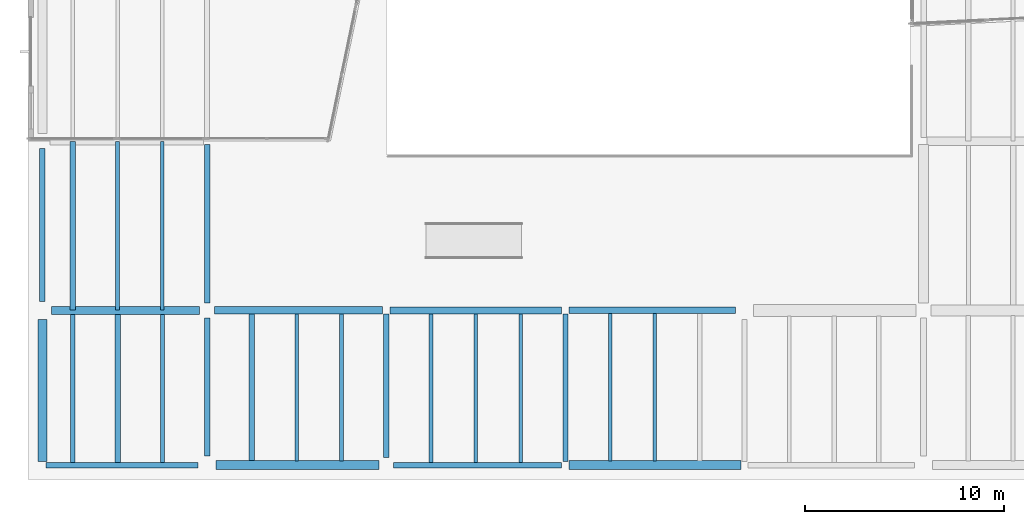
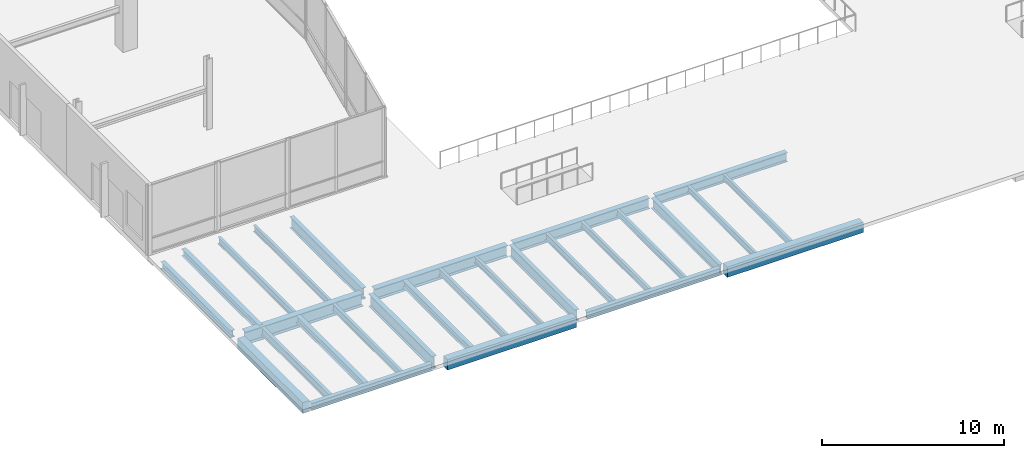
# One storey, part 17 of 88: 28 beams.
"""IFC4 building model written with IfcOpenShell, lengths in metres."""

from ifc_helpers import new_model, si_unit, direction, frame, origin, origin_2d, place, context, subcontext, project, spatial, rectangle, i_section, extrude, material, material_profile, profile_set, type_object, element, save


model = new_model("IFC4")

# Units and contexts
model_context = context("Model", 3, precision=1e-05, world=origin(), true_north=direction((0.0, 1.0)))
body_context = subcontext(model_context, "Body", "Model", "MODEL_VIEW")
ifc_project = project(units=[si_unit("LENGTHUNIT", "METRE"), si_unit("AREAUNIT", "SQUARE_METRE"), si_unit("VOLUMEUNIT", "CUBIC_METRE"), si_unit("PLANEANGLEUNIT", "RADIAN"), si_unit("MASSUNIT", "GRAM", prefix="KILO")], contexts=[model_context])

# Site, building, storey
site_placement = place(None, origin())
site = spatial("IfcSite", under=ifc_project, at=site_placement, CompositionType="ELEMENT")
building_placement = place(site_placement, origin())
building = spatial("IfcBuilding", under=site, at=building_placement, Name="Trimount Lyric Opera House", CompositionType="ELEMENT")
storey_placement = place(building_placement, origin())
storey = spatial("IfcBuildingStorey", under=building, at=storey_placement, Name="L00", CompositionType="ELEMENT", Elevation=0.0)

# Beams
ifc_material_1 = material(Name="Steel ASTM A992 Grade 50", Category="steel")
ifc_material_profile_1 = material_profile(ifc_material_1, i_section(OverallWidth=0.40087890625, OverallDepth=0.861083984375, WebThickness=0.019775390625, FlangeThickness=0.032470703125, FilletRadius=0.02001953125, at=origin_2d()), Name="W33X221")
ifc_profile_set_1 = profile_set([ifc_material_profile_1], Name="Steel ASTM A992 Grade 50")
beam_type_1 = type_object("IfcBeamType", Name="B-04", PredefinedType="BEAM", material=ifc_profile_set_1)
beam_1_placement = place(storey_placement, frame((1.169921875, 8.5, -0.67041015625), z_axis=(1.0, 0.0, 0.0), x_axis=(0.0, 1.0, 0.0)))
element("IfcBeam", 1, at=beam_1_placement, inside=storey, type_object=beam_type_1, Name="L00 girder X-0020", PredefinedType="BEAM", context=body_context, shape_type="SweptSolid", body=[
    extrude(i_section(OverallWidth=0.40087890625, OverallDepth=0.861083984375, WebThickness=0.019775390625, FlangeThickness=0.032470703125, FilletRadius=0.02001953125, at=origin_2d()), origin(), (0.0, 0.0, 1.0), 7.455078125),
])
ifc_material_2 = material(Name="Steel ASTM A992 Grade 50", Category="steel")
ifc_material_profile_2 = material_profile(ifc_material_2, i_section(OverallWidth=0.2919921875, OverallDepth=0.845947265625, WebThickness=0.015380859375, FlangeThickness=0.0244140625, FilletRadius=0.01806640625, at=origin_2d()), Name="W33X141")
ifc_profile_set_2 = profile_set([ifc_material_profile_2], Name="Steel ASTM A992 Grade 50")
beam_type_2 = type_object("IfcBeamType", Name="B-05", PredefinedType="BEAM", material=ifc_profile_set_2)
beam_2_placement = place(storey_placement, frame((9.0, 1.169921875, -0.6630859375), z_axis=(0.0, 1.0, 0.0), x_axis=(-1.0, 0.0, 0.0)))
element("IfcBeam", 2, at=beam_2_placement, inside=storey, type_object=beam_type_2, Name="L00 girder Y-0250", PredefinedType="BEAM", context=body_context, shape_type="SweptSolid", body=[
    extrude(i_section(OverallWidth=0.2919921875, OverallDepth=0.845947265625, WebThickness=0.015380859375, FlangeThickness=0.0244140625, FilletRadius=0.01806640625, at=origin_2d()), origin(), (0.0, 0.0, 1.0), 6.955078125),
])
ifc_material_3 = material(Name="Steel ASTM A992 Grade 50", Category="steel")
ifc_material_profile_3 = material_profile(ifc_material_3, i_section(OverallWidth=0.382080078125, OverallDepth=0.779052734375, WebThickness=0.01806640625, FlangeThickness=0.0302734375, FilletRadius=0.01904296875, at=origin_2d()), Name="W30X191")
ifc_profile_set_3 = profile_set([ifc_material_profile_3], Name="Steel ASTM A992 Grade 50")
beam_type_3 = type_object("IfcBeamType", Name="B-06", PredefinedType="BEAM", material=ifc_profile_set_3)
beam_3_placement = place(storey_placement, frame((9.375, 8.5, -0.62939453125), z_axis=(1.0, 0.0, 0.0), x_axis=(0.0, 1.0, 0.0)))
element("IfcBeam", 3, at=beam_3_placement, inside=storey, type_object=beam_type_3, Name="L00 girder X-0021", PredefinedType="BEAM", context=body_context, shape_type="SweptSolid", body=[
    extrude(i_section(OverallWidth=0.382080078125, OverallDepth=0.779052734375, WebThickness=0.01806640625, FlangeThickness=0.0302734375, FilletRadius=0.01904296875, at=origin_2d()), origin(), (0.0, 0.0, 1.0), 8.44091796875),
])
ifc_material_4 = material(Name="Steel ASTM A992 Grade 50", Category="steel")
ifc_material_profile_4 = material_profile(ifc_material_4, i_section(OverallWidth=0.26708984375, OverallDepth=0.761962890625, WebThickness=0.014404296875, FlangeThickness=0.021484375, FilletRadius=0.01708984375, at=origin_2d()), Name="W30X116")
ifc_profile_set_4 = profile_set([ifc_material_profile_4], Name="Steel ASTM A992 Grade 50")
beam_type_4 = type_object("IfcBeamType", Name="B-07", PredefinedType="BEAM", material=ifc_profile_set_4)
beam_4_placement = place(storey_placement, frame((9.0, 8.875, -0.720947265625), z_axis=(0.0, 1.0, 0.0), x_axis=(-1.0, 0.0, 0.0)))
element("IfcBeam", 4, at=beam_4_placement, inside=storey, type_object=beam_type_4, Name="L00 girder Y-0251", PredefinedType="BEAM", context=body_context, shape_type="SweptSolid", body=[
    extrude(i_section(OverallWidth=0.26708984375, OverallDepth=0.761962890625, WebThickness=0.014404296875, FlangeThickness=0.021484375, FilletRadius=0.01708984375, at=origin_2d()), origin(), (0.0, 0.0, 1.0), 7.947021484375),
])
beam_5_placement = place(storey_placement, frame((18.0, 1.094970703125, -0.62109375), z_axis=(0.0, 1.0, 0.0), x_axis=(-1.0, 0.0, 0.0)))
element("IfcBeam", 5, at=beam_5_placement, inside=storey, type_object=beam_type_4, Name="L00 girder Y-0263", PredefinedType="BEAM", context=body_context, shape_type="SweptSolid", body=[
    extrude(i_section(OverallWidth=0.26708984375, OverallDepth=0.761962890625, WebThickness=0.014404296875, FlangeThickness=0.021484375, FilletRadius=0.01708984375, at=origin_2d()), origin(), (0.0, 0.0, 1.0), 7.22705078125),
])
ifc_material_5 = material(Name="Steel ASTM A992 Grade 50", Category="steel")
ifc_material_profile_5 = material_profile(ifc_material_5, i_section(OverallWidth=0.35595703125, OverallDepth=0.700927734375, WebThickness=0.016845703125, FlangeThickness=0.02734375, FilletRadius=0.01806640625, at=origin_2d()), Name="W27X161")
ifc_profile_set_5 = profile_set([ifc_material_profile_5], Name="Steel ASTM A992 Grade 50")
beam_type_5 = type_object("IfcBeamType", Name="B-08", PredefinedType="BEAM", material=ifc_profile_set_5)
beam_6_placement = place(storey_placement, frame((18.18408203125, 8.5, -0.590576171875), z_axis=(1.0, 0.0, 0.0), x_axis=(0.0, 1.0, 0.0)))
element("IfcBeam", 6, at=beam_6_placement, inside=storey, type_object=beam_type_5, Name="L00 girder X-0022", PredefinedType="BEAM", context=body_context, shape_type="SweptSolid", body=[
    extrude(i_section(OverallWidth=0.35595703125, OverallDepth=0.700927734375, WebThickness=0.016845703125, FlangeThickness=0.02734375, FilletRadius=0.01806640625, at=origin_2d()), origin(), (0.0, 0.0, 1.0), 8.62939453125),
])
ifc_material_6 = material(Name="Steel ASTM A992 Grade 50", Category="steel")
ifc_material_profile_6 = material_profile(ifc_material_6, i_section(OverallWidth=0.25390625, OverallDepth=0.68798828125, WebThickness=0.01318359375, FlangeThickness=0.02099609375, FilletRadius=0.01611328125, at=origin_2d()), Name="W27X102")
ifc_profile_set_6 = profile_set([ifc_material_profile_6], Name="Steel ASTM A992 Grade 50")
beam_type_6 = type_object("IfcBeamType", Name="B-09", PredefinedType="BEAM", material=ifc_profile_set_6)
beam_7_placement = place(storey_placement, frame((27.0, 0.89794921875, -0.583984375), z_axis=(0.0, 1.0, 0.0), x_axis=(-1.0, 0.0, 0.0)))
element("IfcBeam", 7, at=beam_7_placement, inside=storey, type_object=beam_type_6, Name="L00 girder Y-0272", PredefinedType="BEAM", context=body_context, shape_type="SweptSolid", body=[
    extrude(i_section(OverallWidth=0.25390625, OverallDepth=0.68798828125, WebThickness=0.01318359375, FlangeThickness=0.02099609375, FilletRadius=0.01611328125, at=origin_2d()), origin(), (0.0, 0.0, 1.0), 7.41796875),
])
ifc_material_7 = material(Name="Steel ASTM A992 Grade 50", Category="steel")
ifc_material_profile_7 = material_profile(ifc_material_7, i_section(OverallWidth=0.327880859375, OverallDepth=0.626953125, WebThickness=0.0166015625, FlangeThickness=0.027587890625, FilletRadius=0.01611328125, at=origin_2d()), Name="W24X146")
ifc_profile_set_7 = profile_set([ifc_material_profile_7], Name="Steel ASTM A992 Grade 50")
beam_type_7 = type_object("IfcBeamType", Name="B-10", PredefinedType="BEAM", material=ifc_profile_set_7)
beam_8_placement = place(storey_placement, frame((27.1865234375, 8.5, -0.553466796875), z_axis=(1.0, 0.0, 0.0), x_axis=(0.0, 1.0, 0.0)))
element("IfcBeam", 8, at=beam_8_placement, inside=storey, type_object=beam_type_7, Name="L00 girder X-0023", PredefinedType="BEAM", context=body_context, shape_type="SweptSolid", body=[
    extrude(i_section(OverallWidth=0.327880859375, OverallDepth=0.626953125, WebThickness=0.0166015625, FlangeThickness=0.027587890625, FilletRadius=0.01611328125, at=origin_2d()), origin(), (0.0, 0.0, 1.0), 8.363525390625),
])
ifc_material_8 = material(Name="Steel ASTM A992 Grade 50", Category="steel")
ifc_material_profile_8 = material_profile(ifc_material_8, i_section(OverallWidth=0.2099609375, OverallDepth=0.532958984375, WebThickness=0.01025390625, FlangeThickness=0.015625, FilletRadius=0.012939453125, at=origin_2d()), Name="W21X62")
ifc_profile_set_8 = profile_set([ifc_material_profile_8], Name="Steel ASTM A992 Grade 50")
beam_type_8 = type_object("IfcBeamType", Name="J-02", PredefinedType="BEAM", material=ifc_profile_set_8)
beam_9_placement = place(storey_placement, frame((2.25, 0.85693359375, -0.506591796875), z_axis=(0.0, 1.0, 0.0), x_axis=(-1.0, 0.0, 0.0)))
element("IfcBeam", 9, at=beam_9_placement, inside=storey, type_object=beam_type_8, Name="L00 composite floor joist 0001", PredefinedType="BEAM", context=body_context, shape_type="SweptSolid", body=[
    extrude(i_section(OverallWidth=0.2099609375, OverallDepth=0.532958984375, WebThickness=0.01025390625, FlangeThickness=0.015625, FilletRadius=0.012939453125, at=origin_2d()), origin(), (0.0, 0.0, 1.0), 7.446533203125),
])
ifc_material_9 = material(Name="Steel ASTM A992 Grade 50", Category="steel")
ifc_material_profile_9 = material_profile(ifc_material_9, i_section(OverallWidth=0.281982421875, OverallDepth=0.467041015625, WebThickness=0.01220703125, FlangeThickness=0.01953125, FilletRadius=0.012939453125, at=origin_2d()), Name="W18X86")
ifc_profile_set_9 = profile_set([ifc_material_profile_9], Name="Steel ASTM A992 Grade 50")
beam_type_9 = type_object("IfcBeamType", Name="J-03", PredefinedType="BEAM", material=ifc_profile_set_9)
beam_10_placement = place(storey_placement, frame((4.5, 0.85693359375, -0.473388671875), z_axis=(0.0, 1.0, 0.0), x_axis=(-1.0, 0.0, 0.0)))
element("IfcBeam", 10, at=beam_10_placement, inside=storey, type_object=beam_type_9, Name="L00 composite floor joist 0002", PredefinedType="BEAM", context=body_context, shape_type="SweptSolid", body=[
    extrude(i_section(OverallWidth=0.281982421875, OverallDepth=0.467041015625, WebThickness=0.01220703125, FlangeThickness=0.01953125, FilletRadius=0.012939453125, at=origin_2d()), origin(), (0.0, 0.0, 1.0), 7.446533203125),
])
beam_11_placement = place(storey_placement, frame((2.25, 8.511962890625, -0.473388671875), z_axis=(0.0, 1.0, 0.0), x_axis=(-1.0, 0.0, 0.0)))
element("IfcBeam", 11, at=beam_11_placement, inside=storey, type_object=beam_type_9, Name="L00 composite floor joist 0004", PredefinedType="BEAM", context=body_context, shape_type="SweptSolid", body=[
    extrude(i_section(OverallWidth=0.281982421875, OverallDepth=0.467041015625, WebThickness=0.01220703125, FlangeThickness=0.01953125, FilletRadius=0.012939453125, at=origin_2d()), origin(), (0.0, 0.0, 1.0), 8.47607421875),
])
beam_12_placement = place(storey_placement, frame((11.25, 0.94091796875, -0.473388671875), z_axis=(0.0, 1.0, 0.0), x_axis=(-1.0, 0.0, 0.0)))
element("IfcBeam", 12, at=beam_12_placement, inside=storey, type_object=beam_type_9, Name="L00 composite floor joist 0040", PredefinedType="BEAM", context=body_context, shape_type="SweptSolid", body=[
    extrude(i_section(OverallWidth=0.281982421875, OverallDepth=0.467041015625, WebThickness=0.01220703125, FlangeThickness=0.01953125, FilletRadius=0.012939453125, at=origin_2d()), origin(), (0.0, 0.0, 1.0), 7.3720703125),
])
ifc_material_10 = material(Name="Steel ASTM A992 Grade 50", Category="steel")
ifc_material_profile_10 = material_profile(ifc_material_10, i_section(OverallWidth=0.19091796875, OverallDepth=0.45703125, WebThickness=0.009033203125, FlangeThickness=0.014404296875, FilletRadius=0.010986328125, at=origin_2d()), Name="W18X50")
ifc_profile_set_10 = profile_set([ifc_material_profile_10], Name="Steel ASTM A992 Grade 50")
beam_type_10 = type_object("IfcBeamType", Name="J-04", PredefinedType="BEAM", material=ifc_profile_set_10)
beam_13_placement = place(storey_placement, frame((6.75, 0.85693359375, -0.468505859375), z_axis=(0.0, 1.0, 0.0), x_axis=(-1.0, 0.0, 0.0)))
element("IfcBeam", 13, at=beam_13_placement, inside=storey, type_object=beam_type_10, Name="L00 composite floor joist 0003", PredefinedType="BEAM", context=body_context, shape_type="SweptSolid", body=[
    extrude(i_section(OverallWidth=0.19091796875, OverallDepth=0.45703125, WebThickness=0.009033203125, FlangeThickness=0.014404296875, FilletRadius=0.010986328125, at=origin_2d()), origin(), (0.0, 0.0, 1.0), 7.446533203125),
])
beam_14_placement = place(storey_placement, frame((4.5, 8.511962890625, -0.468505859375), z_axis=(0.0, 1.0, 0.0), x_axis=(-1.0, 0.0, 0.0)))
element("IfcBeam", 14, at=beam_14_placement, inside=storey, type_object=beam_type_10, Name="L00 composite floor joist 0005", PredefinedType="BEAM", context=body_context, shape_type="SweptSolid", body=[
    extrude(i_section(OverallWidth=0.19091796875, OverallDepth=0.45703125, WebThickness=0.009033203125, FlangeThickness=0.014404296875, FilletRadius=0.010986328125, at=origin_2d()), origin(), (0.0, 0.0, 1.0), 8.47607421875),
])
beam_15_placement = place(storey_placement, frame((13.5, 0.94091796875, -0.468505859375), z_axis=(0.0, 1.0, 0.0), x_axis=(-1.0, 0.0, 0.0)))
element("IfcBeam", 15, at=beam_15_placement, inside=storey, type_object=beam_type_10, Name="L00 composite floor joist 0041", PredefinedType="BEAM", context=body_context, shape_type="SweptSolid", body=[
    extrude(i_section(OverallWidth=0.19091796875, OverallDepth=0.45703125, WebThickness=0.009033203125, FlangeThickness=0.014404296875, FilletRadius=0.010986328125, at=origin_2d()), origin(), (0.0, 0.0, 1.0), 7.3720703125),
])
beam_16_placement = place(storey_placement, frame((20.25, 0.85693359375, -0.468505859375), z_axis=(0.0, 1.0, 0.0), x_axis=(-1.0, 0.0, 0.0)))
element("IfcBeam", 16, at=beam_16_placement, inside=storey, type_object=beam_type_10, Name="L00 composite floor joist 0067", PredefinedType="BEAM", context=body_context, shape_type="SweptSolid", body=[
    extrude(i_section(OverallWidth=0.19091796875, OverallDepth=0.45703125, WebThickness=0.009033203125, FlangeThickness=0.014404296875, FilletRadius=0.010986328125, at=origin_2d()), origin(), (0.0, 0.0, 1.0), 7.468994140625),
])
ifc_material_11 = material(Name="Steel ASTM A992 Grade 50", Category="steel")
ifc_material_profile_11 = material_profile(ifc_material_11, i_section(OverallWidth=0.180908203125, OverallDepth=0.4169921875, WebThickness=0.010986328125, FlangeThickness=0.018310546875, FilletRadius=0.010986328125, at=origin_2d()), Name="W16X57")
ifc_profile_set_11 = profile_set([ifc_material_profile_11], Name="Steel ASTM A992 Grade 50")
beam_type_11 = type_object("IfcBeamType", Name="J-05", PredefinedType="BEAM", material=ifc_profile_set_11)
beam_17_placement = place(storey_placement, frame((6.75, 8.511962890625, -0.448486328125), z_axis=(0.0, 1.0, 0.0), x_axis=(-1.0, 0.0, 0.0)))
element("IfcBeam", 17, at=beam_17_placement, inside=storey, type_object=beam_type_11, Name="L00 composite floor joist 0006", PredefinedType="BEAM", context=body_context, shape_type="SweptSolid", body=[
    extrude(i_section(OverallWidth=0.180908203125, OverallDepth=0.4169921875, WebThickness=0.010986328125, FlangeThickness=0.018310546875, FilletRadius=0.010986328125, at=origin_2d()), origin(), (0.0, 0.0, 1.0), 8.47607421875),
])
beam_18_placement = place(storey_placement, frame((15.75, 0.94091796875, -0.448486328125), z_axis=(0.0, 1.0, 0.0), x_axis=(-1.0, 0.0, 0.0)))
element("IfcBeam", 18, at=beam_18_placement, inside=storey, type_object=beam_type_11, Name="L00 composite floor joist 0042", PredefinedType="BEAM", context=body_context, shape_type="SweptSolid", body=[
    extrude(i_section(OverallWidth=0.180908203125, OverallDepth=0.4169921875, WebThickness=0.010986328125, FlangeThickness=0.018310546875, FilletRadius=0.010986328125, at=origin_2d()), origin(), (0.0, 0.0, 1.0), 7.3720703125),
])
beam_19_placement = place(storey_placement, frame((22.5, 0.85693359375, -0.448486328125), z_axis=(0.0, 1.0, 0.0), x_axis=(-1.0, 0.0, 0.0)))
element("IfcBeam", 19, at=beam_19_placement, inside=storey, type_object=beam_type_11, Name="L00 composite floor joist 0068", PredefinedType="BEAM", context=body_context, shape_type="SweptSolid", body=[
    extrude(i_section(OverallWidth=0.180908203125, OverallDepth=0.4169921875, WebThickness=0.010986328125, FlangeThickness=0.018310546875, FilletRadius=0.010986328125, at=origin_2d()), origin(), (0.0, 0.0, 1.0), 7.468994140625),
])
beam_20_placement = place(storey_placement, frame((29.25, 0.94091796875, -0.448486328125), z_axis=(0.0, 1.0, 0.0), x_axis=(-1.0, 0.0, 0.0)))
element("IfcBeam", 20, at=beam_20_placement, inside=storey, type_object=beam_type_11, Name="L00 composite floor joist 0082", PredefinedType="BEAM", context=body_context, shape_type="SweptSolid", body=[
    extrude(i_section(OverallWidth=0.180908203125, OverallDepth=0.4169921875, WebThickness=0.010986328125, FlangeThickness=0.018310546875, FilletRadius=0.010986328125, at=origin_2d()), origin(), (0.0, 0.0, 1.0), 7.399169921875),
])
ifc_material_12 = material(Name="Steel ASTM A992 Grade 50", Category="steel")
ifc_material_profile_12 = material_profile(ifc_material_12, i_section(OverallWidth=0.177978515625, OverallDepth=0.404052734375, WebThickness=0.007568359375, FlangeThickness=0.010986328125, FilletRadius=0.010009765625, at=origin_2d()), Name="W16X36")
ifc_profile_set_12 = profile_set([ifc_material_profile_12], Name="Steel ASTM A992 Grade 50")
beam_type_12 = type_object("IfcBeamType", Name="J-06", PredefinedType="BEAM", material=ifc_profile_set_12)
beam_21_placement = place(storey_placement, frame((24.75, 0.85693359375, -0.44189453125), z_axis=(0.0, 1.0, 0.0), x_axis=(-1.0, 0.0, 0.0)))
element("IfcBeam", 21, at=beam_21_placement, inside=storey, type_object=beam_type_12, Name="L00 composite floor joist 0069", PredefinedType="BEAM", context=body_context, shape_type="SweptSolid", body=[
    extrude(i_section(OverallWidth=0.177978515625, OverallDepth=0.404052734375, WebThickness=0.007568359375, FlangeThickness=0.010986328125, FilletRadius=0.010009765625, at=origin_2d()), origin(), (0.0, 0.0, 1.0), 7.468994140625),
])
beam_22_placement = place(storey_placement, frame((31.5, 0.94091796875, -0.44189453125), z_axis=(0.0, 1.0, 0.0), x_axis=(-1.0, 0.0, 0.0)))
element("IfcBeam", 22, at=beam_22_placement, inside=storey, type_object=beam_type_12, Name="L00 composite floor joist 0083", PredefinedType="BEAM", context=body_context, shape_type="SweptSolid", body=[
    extrude(i_section(OverallWidth=0.177978515625, OverallDepth=0.404052734375, WebThickness=0.007568359375, FlangeThickness=0.010986328125, FilletRadius=0.010009765625, at=origin_2d()), origin(), (0.0, 0.0, 1.0), 7.399169921875),
])
ifc_material_13 = material(Name="Steel ASTM A992 Grade 50", Category="steel")
ifc_material_profile_13 = material_profile(ifc_material_13, i_section(OverallWidth=0.281982421875, OverallDepth=0.467041015625, WebThickness=0.01220703125, FlangeThickness=0.01953125, FilletRadius=0.012939453125, at=origin_2d()), Name="W18X86")
ifc_profile_set_13 = profile_set([ifc_material_profile_13], Name="Steel ASTM A992 Grade 50")
beam_type_13 = type_object("IfcBeamType", Name="SP-01", PredefinedType="SPANDREL", material=ifc_profile_set_13)
beam_23_placement = place(storey_placement, frame((0.906494140625, 0.719970703125, -0.473388671875), z_axis=(1.0, 0.0, 0.0), x_axis=(0.0, 1.0, 0.0)))
element("IfcBeam", 23, at=beam_23_placement, inside=storey, type_object=beam_type_13, Name="L00 girder X-0001", PredefinedType="SPANDREL", context=body_context, shape_type="SweptSolid", body=[
    extrude(i_section(OverallWidth=0.281982421875, OverallDepth=0.467041015625, WebThickness=0.01220703125, FlangeThickness=0.01953125, FilletRadius=0.012939453125, at=origin_2d()), origin(), (0.0, 0.0, 1.0), 7.6435546875),
])
beam_24_placement = place(storey_placement, frame((18.375, 0.719970703125, -0.473388671875), z_axis=(1.0, 0.0, 0.0), x_axis=(0.0, 1.0, 0.0)))
element("IfcBeam", 24, at=beam_24_placement, inside=storey, type_object=beam_type_13, Name="L00 girder X-0003", PredefinedType="SPANDREL", context=body_context, shape_type="SweptSolid", body=[
    extrude(i_section(OverallWidth=0.281982421875, OverallDepth=0.467041015625, WebThickness=0.01220703125, FlangeThickness=0.01953125, FilletRadius=0.012939453125, at=origin_2d()), origin(), (0.0, 0.0, 1.0), 8.44091796875),
])
beam_25_placement = place(storey_placement, frame((0.719970703125, 8.949951171875, -0.573486328125), z_axis=(0.0, 1.0, 0.0), x_axis=(-1.0, 0.0, 0.0)))
element("IfcBeam", 25, at=beam_25_placement, inside=storey, type_object=beam_type_13, Name="L00 girder Y-0238", PredefinedType="SPANDREL", context=body_context, shape_type="SweptSolid", body=[
    extrude(i_section(OverallWidth=0.281982421875, OverallDepth=0.467041015625, WebThickness=0.01220703125, FlangeThickness=0.01953125, FilletRadius=0.012939453125, at=origin_2d()), origin(), (0.0, 0.0, 1.0), 7.675048828125),
])
ifc_material_14 = material(Name="Concrete C40/50", Category="concrete")
ifc_material_profile_14 = material_profile(ifc_material_14, rectangle(XDim=0.449951171875, YDim=0.699951171875, at=origin_2d()), Name="RC450X700")
ifc_profile_set_14 = profile_set([ifc_material_profile_14], Name="Concrete C40/50")
beam_type_14 = type_object("IfcBeamType", Name="SP-02", PredefinedType="SPANDREL", material=ifc_profile_set_14)
beam_26_placement = place(storey_placement, frame((9.449951171875, 0.719970703125, -0.590087890625), z_axis=(1.0, 0.0, 0.0), x_axis=(0.0, 1.0, 0.0)))
element("IfcBeam", 26, at=beam_26_placement, inside=storey, type_object=beam_type_14, Name="L00 girder X-0002", PredefinedType="SPANDREL", context=body_context, shape_type="SweptSolid", body=[
    extrude(rectangle(XDim=0.449951171875, YDim=0.699951171875, at=origin_2d()), origin(), (0.0, 0.0, 1.0), 8.175048828125),
])
beam_27_placement = place(storey_placement, frame((27.18408203125, 0.719970703125, -0.590087890625), z_axis=(1.0, 0.0, 0.0), x_axis=(0.0, 1.0, 0.0)))
element("IfcBeam", 27, at=beam_27_placement, inside=storey, type_object=beam_type_14, Name="L00 girder X-0004", PredefinedType="SPANDREL", context=body_context, shape_type="SweptSolid", body=[
    extrude(rectangle(XDim=0.449951171875, YDim=0.699951171875, at=origin_2d()), origin(), (0.0, 0.0, 1.0), 8.62939453125),
])
beam_28_placement = place(storey_placement, frame((0.719970703125, 0.904052734375, -0.590087890625), z_axis=(0.0, 1.0, 0.0), x_axis=(-1.0, 0.0, 0.0)))
element("IfcBeam", 28, at=beam_28_placement, inside=storey, type_object=beam_type_14, Name="L00 girder Y-0237", PredefinedType="SPANDREL", context=body_context, shape_type="SweptSolid", body=[
    extrude(rectangle(XDim=0.449951171875, YDim=0.699951171875, at=origin_2d()), origin(), (0.0, 0.0, 1.0), 7.14599609375),
])

save(model, "model.ifc")
